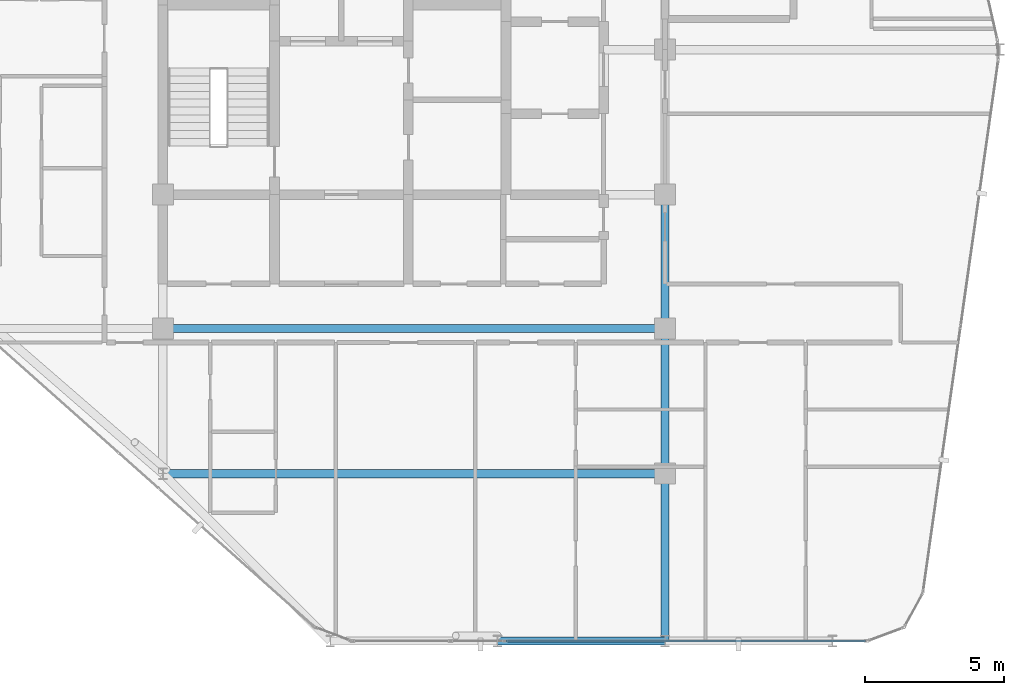
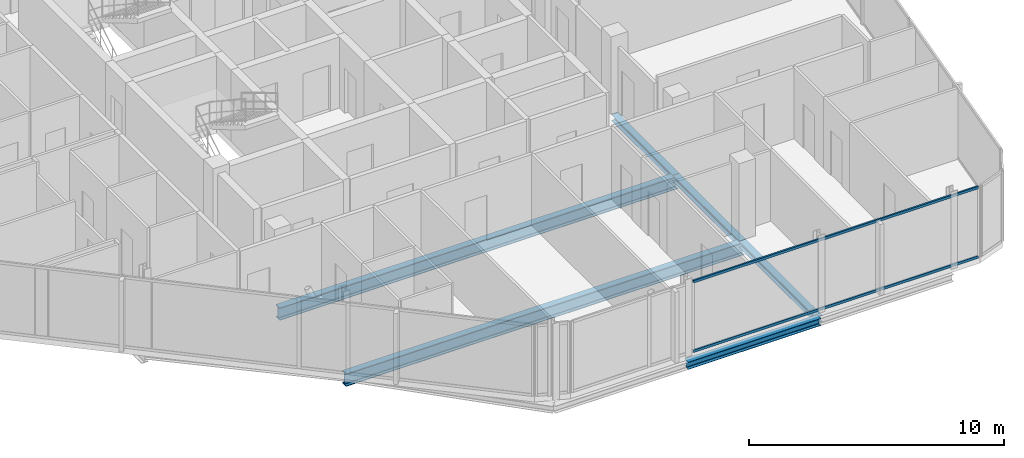
# One storey, part 7 of 28: 6 beams, 2 members, 1 element without a shape of its own.
"""IFC4 building model written with IfcOpenShell, lengths in metres."""

import ifcopenshell
import ifcopenshell.guid

model = None  # the IFC model being written
_history = None  # IfcOwnerHistory: only IFC2X3 demands one
_inside = {}  # id of a spatial element -> (the spatial element, [elements in it])
_under = {}  # id of a project, library or spatial element -> (it, [spatial elements below it])
_declared = {}  # id of a project -> (the project, [libraries it declares])
_typed = {}  # id of a type object -> (the type object, [elements of that type])
_made_of = {}  # id of a material, layer set ... -> (it, [elements and type objects made of it])


def new_model(schema):
    """Start an empty IFC model of exactly this schema.

    Asked for "IFC4X3", IfcOpenShell would pick the latest addendum, in which some entities
    have other attributes; the version numbers below select the first issue.
    IFC2X3 requires an IfcOwnerHistory on every rooted entity: one is made here for all.
    """
    global model, _history
    if schema == "IFC4X3":
        model = ifcopenshell.file(schema_version=(4, 3, 0, 0))
    else:
        model = ifcopenshell.file(schema=schema)
    _inside.clear()
    _under.clear()
    _declared.clear()
    _typed.clear()
    _made_of.clear()
    _history = None
    if model.schema == "IFC2X3":
        org = make("IfcOrganization", Name="unknown")
        user = make(
            "IfcPersonAndOrganization",
            ThePerson=make("IfcPerson", FamilyName="unknown"),
            TheOrganization=org,
        )
        app = make(
            "IfcApplication",
            ApplicationDeveloper=org,
            Version="unknown",
            ApplicationFullName="unknown",
            ApplicationIdentifier="unknown",
        )
        _history = make(
            "IfcOwnerHistory",
            OwningUser=user,
            OwningApplication=app,
            ChangeAction="ADDED",
            CreationDate=0,
        )
    return model


def make(cls, **values):
    """One entity of the class cls with the attributes given. An attribute that is None is left unset."""
    return model.create_entity(
        cls, **{name: value for name, value in values.items() if value is not None}
    )


def rooted(cls, **values):
    """An entity with a GlobalId (a new one), such as an element, a storey or a relation."""
    return make(cls, GlobalId=ifcopenshell.guid.new(), OwnerHistory=_history, **values)


def si_unit(unit_type, name, prefix=None):
    """IfcSIUnit, for example si_unit("LENGTHUNIT", "METRE", prefix="MILLI")."""
    return make("IfcSIUnit", UnitType=unit_type, Prefix=prefix, Name=name)


def assignment(units):
    """IfcUnitAssignment: the units of a project."""
    return None if units is None else make("IfcUnitAssignment", Units=units)


def point(xyz):
    """IfcCartesianPoint."""
    return None if xyz is None else make("IfcCartesianPoint", Coordinates=xyz)


def direction(xyz):
    """IfcDirection."""
    return None if xyz is None else make("IfcDirection", DirectionRatios=xyz)


def frame(location, z_axis=None, x_axis=None):
    """IfcAxis2Placement3D, a coordinate frame: its origin and axes. An axis left out is left unset."""
    return make(
        "IfcAxis2Placement3D",
        Location=point(location),
        Axis=direction(z_axis),
        RefDirection=direction(x_axis),
    )


def frame_2d(location, x_axis=None):
    """IfcAxis2Placement2D, a coordinate frame in the plane: its origin and x axis."""
    return make(
        "IfcAxis2Placement2D", Location=point(location), RefDirection=direction(x_axis)
    )


def origin():
    """The frame at (0, 0, 0) with its axes left unset."""
    return frame((0.0, 0.0, 0.0))


def origin_2d():
    """The frame at (0, 0) in the plane with its x axis left unset."""
    return frame_2d((0.0, 0.0))


def place(relative_to, where):
    """IfcLocalPlacement: puts the frame where relative to a parent placement (None: the world)."""
    return make(
        "IfcLocalPlacement", PlacementRelTo=relative_to, RelativePlacement=where
    )


def context(
    kind, dimensions, precision=None, world=None, true_north=None, identifier=None
):
    """IfcGeometricRepresentationContext, for example the 3D "Model" context."""
    return make(
        "IfcGeometricRepresentationContext",
        ContextIdentifier=identifier,
        ContextType=kind,
        CoordinateSpaceDimension=dimensions,
        Precision=precision,
        WorldCoordinateSystem=world,
        TrueNorth=true_north,
    )


def subcontext(parent, identifier, kind, view, scale=None):
    """IfcGeometricRepresentationSubContext, for example "Body" below "Model"."""
    return make(
        "IfcGeometricRepresentationSubContext",
        ContextIdentifier=identifier,
        ContextType=kind,
        ParentContext=parent,
        TargetScale=scale,
        TargetView=view,
    )


def project(units=None, contexts=None):
    """IfcProject with its units and contexts."""
    return rooted(
        "IfcProject",
        Name="project",
        RepresentationContexts=contexts,
        UnitsInContext=assignment(units),
    )


def spatial(cls, under=None, at=None, **own):
    """A site, building, storey or space (cls), placed at a placement, below another one or the project."""
    s = rooted(cls, ObjectPlacement=at, **own)
    if under is not None:
        _under.setdefault(under.id(), (under, []))[1].append(s)
    return s


def profile(cls, at=None, kind="AREA", **sizes):
    """A parametric profile (cls). Its sizes go by their IFC names, for example OverallWidth=200.0."""
    return make(cls, ProfileType=kind, Position=at, **sizes)


def hollow_rectangle(**sizes):
    """IfcRectangleHollowProfileDef."""
    return profile("IfcRectangleHollowProfileDef", **sizes)


def i_section(**sizes):
    """IfcIShapeProfileDef."""
    return profile("IfcIShapeProfileDef", **sizes)


def extrude(swept, where, along, depth):
    """IfcExtrudedAreaSolid: the profile swept, set in the frame where, extruded along a direction by depth."""
    return make(
        "IfcExtrudedAreaSolid",
        SweptArea=swept,
        Position=where,
        ExtrudedDirection=direction(along),
        Depth=depth,
    )


def shape(context_of_items, identifier, shape_type, items):
    """IfcShapeRepresentation: the items that make up one representation, for example the "Body"."""
    return make(
        "IfcShapeRepresentation",
        ContextOfItems=context_of_items,
        RepresentationIdentifier=identifier,
        RepresentationType=shape_type,
        Items=items,
    )


def material(Name=None, Category=None):
    """IfcMaterial."""
    return make("IfcMaterial", Name=Name, Category=Category)


def layer(
    of_material, thickness, ventilated=None, Name=None, Category=None, Priority=None
):
    """IfcMaterialLayer: one layer of a wall or slab, of a material (None: an air gap)."""
    return make(
        "IfcMaterialLayer",
        Material=of_material,
        LayerThickness=thickness,
        IsVentilated=ventilated,
        Name=Name,
        Category=Category,
        Priority=Priority,
    )


def layer_set(layers, Name=None):
    """IfcMaterialLayerSet."""
    return make("IfcMaterialLayerSet", MaterialLayers=layers, LayerSetName=Name)


def material_profile(
    of_material, cross_section, Name=None, Category=None, Priority=None
):
    """IfcMaterialProfile: a cross section and its material."""
    return make(
        "IfcMaterialProfile",
        Name=Name,
        Material=of_material,
        Profile=cross_section,
        Priority=Priority,
        Category=Category,
    )


def profile_set(profiles, Name=None, composite=None):
    """IfcMaterialProfileSet."""
    return make(
        "IfcMaterialProfileSet",
        Name=Name,
        MaterialProfiles=profiles,
        CompositeProfile=composite,
    )


def made_of(thing, what):
    """Note that an element or type object is made of a material, layer set ...; save() writes the relation."""
    if what is not None:
        _made_of.setdefault(what.id(), (what, []))[1].append(thing)
    return thing


def type_object(cls, material=None, **own):
    """A type object (cls), such as IfcWallType, which elements share."""
    return made_of(rooted(cls, **own), material)


def element(
    cls,
    number,
    at=None,
    inside=None,
    cuts=None,
    type_object=None,
    material=None,
    context=None,
    identifier="Body",
    shape_type=None,
    held_by="IfcProductDefinitionShape",
    body=None,
    shapes=None,
    **own,
):
    """One element of the class cls, such as IfcWall. Its Tag is "e" and its number.

    at: its placement. inside: the storey or other place that contains it. cuts: it is an
    opening in that element (IfcRelVoidsElement). A single representation is given by context,
    identifier, shape_type and body (its items); several are given by shapes. held_by: the class
    of the entity that holds the representations. save() writes the other relations.
    """
    e = rooted(cls, Tag="e%d" % number, ObjectPlacement=at, **own)
    if body is not None:
        shapes = [shape(context, identifier, shape_type, body)]
    if shapes is not None:
        e.Representation = make(held_by, Representations=shapes)
    if inside is not None:
        _inside.setdefault(inside.id(), (inside, []))[1].append(e)
    if cuts is not None:
        rooted(
            "IfcRelVoidsElement", RelatingBuildingElement=cuts, RelatedOpeningElement=e
        )
    if type_object is not None:
        _typed.setdefault(type_object.id(), (type_object, []))[1].append(e)
    return made_of(e, material)


def aggregate(whole, parts):
    """IfcRelAggregates: a whole, such as a stair, and the parts it consists of."""
    return rooted("IfcRelAggregates", RelatingObject=whole, RelatedObjects=parts)


def save(model, path):
    """Write the relations noted so far, then the file.

    IfcRelAggregates (storeys below a building ...), IfcRelContainedInSpatialStructure (elements
    in a storey), IfcRelDefinesByType, IfcRelAssociatesMaterial and IfcRelDeclares: one each for
    every whole, place, type object, material and project.
    """
    for whole, parts in _under.values():
        aggregate(whole, parts)
    for where, things in _inside.values():
        rooted(
            "IfcRelContainedInSpatialStructure",
            RelatedElements=things,
            RelatingStructure=where,
        )
    for kind, things in _typed.values():
        rooted("IfcRelDefinesByType", RelatedObjects=things, RelatingType=kind)
    for what, things in _made_of.values():
        rooted("IfcRelAssociatesMaterial", RelatedObjects=things, RelatingMaterial=what)
    for by, libraries in _declared.values():
        rooted("IfcRelDeclares", RelatingContext=by, RelatedDefinitions=libraries)
    model.write(path)


model = new_model("IFC4")

# Units and contexts
model_context = context("Model", 3, precision=1e-05, world=origin(), true_north=direction((0.0, 1.0)))
body_context = subcontext(model_context, "Body", "Model", "MODEL_VIEW")
ifc_project = project(units=[si_unit("LENGTHUNIT", "METRE"), si_unit("AREAUNIT", "SQUARE_METRE"), si_unit("VOLUMEUNIT", "CUBIC_METRE"), si_unit("PLANEANGLEUNIT", "RADIAN"), si_unit("MASSUNIT", "GRAM", prefix="KILO")], contexts=[model_context])

# Site, building, storey
site_placement = place(None, origin())
site = spatial("IfcSite", under=ifc_project, at=site_placement, CompositionType="ELEMENT")
building_placement = place(site_placement, origin())
building = spatial("IfcBuilding", under=site, at=building_placement, Name="Keshet Zoharim Tower", CompositionType="ELEMENT")
storey_placement = place(building_placement, frame((0.0, 0.0, 265.800048828125)))
storey = spatial("IfcBuildingStorey", under=building, at=storey_placement, Name="L66", CompositionType="ELEMENT", Elevation=265.800048828125)

# Beams
ifc_material_1 = material(Name="Steel S355", Category="steel")
ifc_material_profile_1 = material_profile(ifc_material_1, i_section(OverallWidth=0.300048828125, OverallDepth=0.60009765625, WebThickness=0.015380859375, FlangeThickness=0.030029296875, FilletRadius=0.027099609375, at=origin_2d()), Name="HEB600")
ifc_profile_set_1 = profile_set([ifc_material_profile_1], Name="Steel S355")
beam_type_1 = type_object("IfcBeamType", Name="BM-LNG-HB600", PredefinedType="BEAM", material=ifc_profile_set_1)
for number, where, z_axis, x_axis, name in (
    (1, (15.0, 12.699951171875, -0.610107421875), (1.0, 0.0, 0.0), (0.0, 1.0, 0.0), "L66 Primary Girder X-004"),
    (2, (15.0, 17.89990234375, -0.610107421875), (1.0, 0.0, 0.0), (0.0, 1.0, 0.0), "L66 Primary Girder X-006"),
):
    element("IfcBeam", number, at=place(storey_placement, frame(where, z_axis=z_axis, x_axis=x_axis)), inside=storey, type_object=beam_type_1, Name=name, PredefinedType="BEAM", context=body_context, shape_type="SweptSolid", body=[
        extrude(i_section(OverallWidth=0.300048828125, OverallDepth=0.60009765625, WebThickness=0.015380859375, FlangeThickness=0.030029296875, FilletRadius=0.027099609375, at=origin_2d()), origin(), (0.0, 0.0, 1.0), 18.0),
    ])
ifc_material_profile_2 = material_profile(ifc_material_1, i_section(OverallWidth=0.300048828125, OverallDepth=0.2900390625, WebThickness=0.008544921875, FlangeThickness=0.013916015625, FilletRadius=0.027099609375, at=origin_2d()), Name="HEA300")
ifc_profile_set_2 = profile_set([ifc_material_profile_2], Name="Steel S355")
beam_type_2 = type_object("IfcBeamType", Name="BM-PRI-HA300", PredefinedType="BEAM", material=ifc_profile_set_2)
beam_1_placement = place(storey_placement, frame((33.0, 6.699951171875, -0.455078125), z_axis=(0.0, 1.0, 0.0), x_axis=(-1.0, 0.0, 0.0)))
element("IfcBeam", 3, at=beam_1_placement, inside=storey, type_object=beam_type_2, Name="L66 Primary Girder Y-004", PredefinedType="BEAM", context=body_context, shape_type="SweptSolid", body=[
    extrude(i_section(OverallWidth=0.300048828125, OverallDepth=0.2900390625, WebThickness=0.008544921875, FlangeThickness=0.013916015625, FilletRadius=0.027099609375, at=origin_2d()), origin(), (0.0, 0.0, 1.0), 6.0),
])
beam_2_placement = place(storey_placement, frame((33.0, 12.699951171875, -0.455078125), z_axis=(0.0, 1.0, 0.0), x_axis=(-1.0, 0.0, 0.0)))
element("IfcBeam", 4, at=beam_2_placement, inside=storey, type_object=beam_type_2, Name="L66 Primary Girder Y-005", PredefinedType="BEAM", context=body_context, shape_type="SweptSolid", body=[
    extrude(i_section(OverallWidth=0.300048828125, OverallDepth=0.2900390625, WebThickness=0.008544921875, FlangeThickness=0.013916015625, FilletRadius=0.027099609375, at=origin_2d()), origin(), (0.0, 0.0, 1.0), 5.199951171875),
])
beam_3_placement = place(storey_placement, frame((33.0, 17.89990234375, -0.455078125), z_axis=(0.0, 1.0, 0.0), x_axis=(-1.0, 0.0, 0.0)))
element("IfcBeam", 5, at=beam_3_placement, inside=storey, type_object=beam_type_2, Name="L66 Primary Girder Y-006", PredefinedType="BEAM", context=body_context, shape_type="SweptSolid", body=[
    extrude(i_section(OverallWidth=0.300048828125, OverallDepth=0.2900390625, WebThickness=0.008544921875, FlangeThickness=0.013916015625, FilletRadius=0.027099609375, at=origin_2d()), origin(), (0.0, 0.0, 1.0), 4.800048828125),
])
ifc_material_profile_3 = material_profile(ifc_material_1, i_section(OverallWidth=0.300048828125, OverallDepth=0.35009765625, WebThickness=0.010009765625, FlangeThickness=0.017578125, FilletRadius=0.027099609375, at=origin_2d()), Name="HEA360")
ifc_profile_set_3 = profile_set([ifc_material_profile_3], Name="Steel S355")
beam_type_3 = type_object("IfcBeamType", Name="BM-PRI-HA360", PredefinedType="BEAM", material=ifc_profile_set_3)
beam_4_placement = place(storey_placement, frame((27.0, 6.699951171875, -0.485107421875), z_axis=(1.0, 0.0, 0.0), x_axis=(0.0, 1.0, 0.0)))
element("IfcBeam", 6, at=beam_4_placement, inside=storey, type_object=beam_type_3, Name="L66 Primary Girder X-002", PredefinedType="BEAM", context=body_context, shape_type="SweptSolid", body=[
    extrude(i_section(OverallWidth=0.300048828125, OverallDepth=0.35009765625, WebThickness=0.010009765625, FlangeThickness=0.017578125, FilletRadius=0.027099609375, at=origin_2d()), origin(), (0.0, 0.0, 1.0), 6.0),
])

# Curtain wall, members
ifc_material_2 = material(Name="Aluminium 6063-T6", Category="aluminium")
ifc_layer = layer(ifc_material_2, 0.260009765625)
ifc_layer_set = layer_set([ifc_layer], Name="Aluminium 6063-T6")
curtain_wall_type = type_object("IfcCurtainWallType", Name="CW-SYS-06", PredefinedType="NOTDEFINED", material=ifc_layer_set)
curtain_wall_placement = place(storey_placement, origin())
curtain_wall = element("IfcCurtainWall", 7, at=curtain_wall_placement, inside=storey, type_object=curtain_wall_type, Name="L66 Unitised Curtain Wall 14", PredefinedType="NOTDEFINED")
ifc_material_profile_4 = material_profile(ifc_material_2, hollow_rectangle(XDim=0.074951171875, YDim=0.1201171875, WallThickness=0.00390625, at=origin_2d()), Name="TRN-75x120")
ifc_profile_set_4 = profile_set([ifc_material_profile_4], Name="Aluminium 6063-T6")
member_type = type_object("IfcMemberType", Name="CWT-T12", PredefinedType="USERDEFINED", material=ifc_profile_set_4)
member_1_placement = place(storey_placement, frame((40.193115234375, 6.699951171875, 0.034912109375), z_axis=(-1.0, 0.0, 0.0), x_axis=(0.0, -1.0, 0.0)))
member_1 = element("IfcMember", 8, at=member_1_placement, type_object=member_type, Name="CW-06 transom 1.1", ObjectType="TRANSOM", PredefinedType="USERDEFINED", context=body_context, shape_type="SweptSolid", body=[
    extrude(hollow_rectangle(XDim=0.074951171875, YDim=0.1201171875, WallThickness=0.00390625, at=origin_2d()), origin(), (0.0, 0.0, 1.0), 12.898193359375),
])
member_2_placement = place(storey_placement, frame((40.193115234375, 6.699951171875, 3.35498046875), z_axis=(-1.0, 0.0, 0.0), x_axis=(0.0, -1.0, 0.0)))
member_2 = element("IfcMember", 9, at=member_2_placement, type_object=member_type, Name="CW-06 transom 1.2", ObjectType="TRANSOM", PredefinedType="USERDEFINED", context=body_context, shape_type="SweptSolid", body=[
    extrude(hollow_rectangle(XDim=0.074951171875, YDim=0.1201171875, WallThickness=0.00390625, at=origin_2d()), origin(), (0.0, 0.0, 1.0), 12.898193359375),
])
aggregate(curtain_wall, [member_1, member_2])

save(model, "model.ifc")
